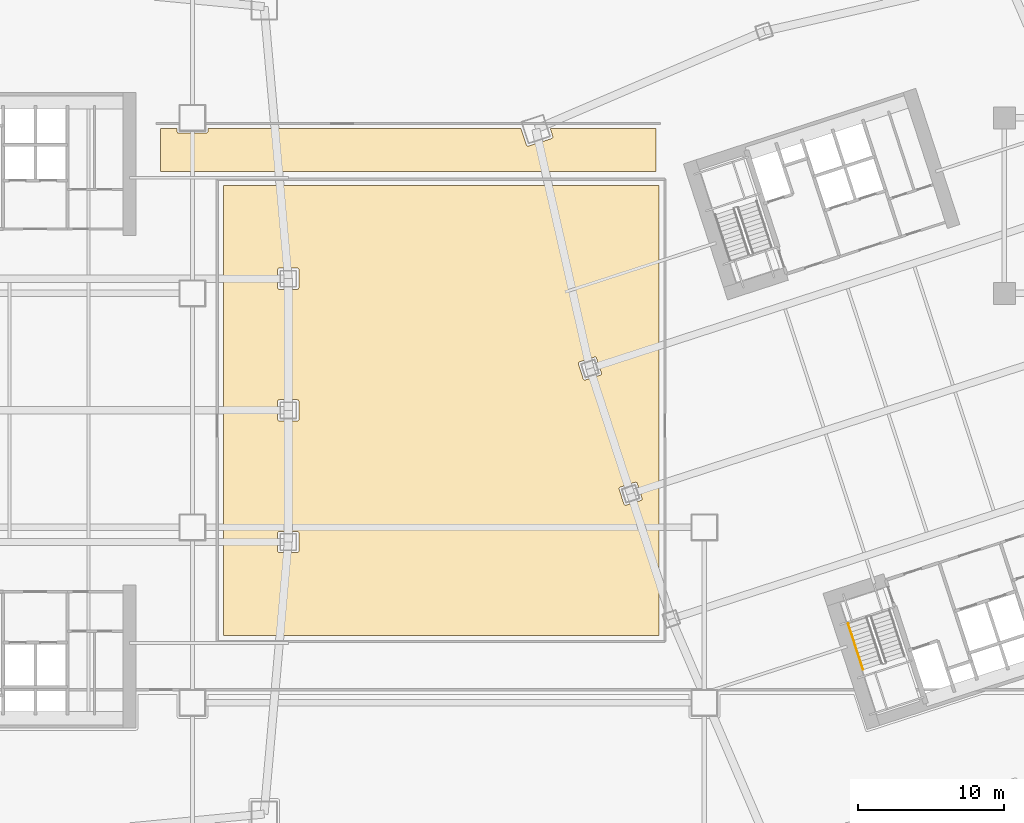
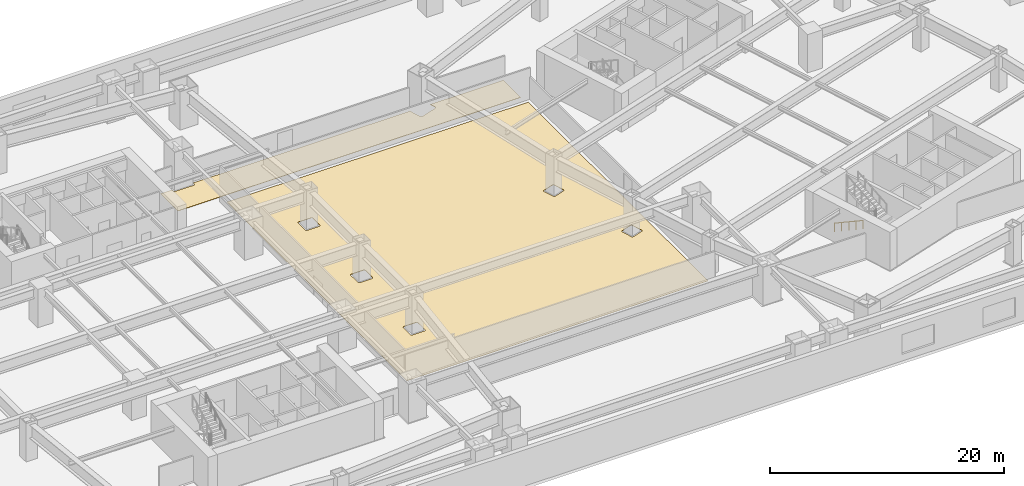
# One storey, part 23 of 25: 2 coverings, 1 railing.
"""IFC4 building model written with IfcOpenShell, lengths in metres."""

from ifc_helpers import new_model, si_unit, direction, frame, origin, origin_2d, place, context, subcontext, project, spatial, polyline, circle, outline, extrude, material, layer, layer_set, type_object, element, save


model = new_model("IFC4")

# Units and contexts
model_context = context("Model", 3, precision=1e-05, world=origin(), true_north=direction((0.0, 1.0)))
body_context = subcontext(model_context, "Body", "Model", "MODEL_VIEW")
ifc_project = project(units=[si_unit("LENGTHUNIT", "METRE"), si_unit("AREAUNIT", "SQUARE_METRE"), si_unit("VOLUMEUNIT", "CUBIC_METRE"), si_unit("PLANEANGLEUNIT", "RADIAN"), si_unit("MASSUNIT", "GRAM", prefix="KILO")], contexts=[model_context])

# Site, building, storey
site_placement = place(None, origin())
site = spatial("IfcSite", under=ifc_project, at=site_placement, CompositionType="ELEMENT")
building_placement = place(site_placement, origin())
building = spatial("IfcBuilding", under=site, at=building_placement, Name="Qiaolan Cultural Towers", CompositionType="ELEMENT")
storey_placement = place(building_placement, frame((0.0, 0.0, 22.0)))
storey = spatial("IfcBuildingStorey", under=building, at=storey_placement, Name="L04", CompositionType="ELEMENT", Elevation=22.0)

# Coverings
ifc_material_1 = material(Name="Honed Terrazzo & Raised Access Flooring", Category="concrete")
ifc_layer = layer(ifc_material_1, 0.0400390625)
ifc_layer_set = layer_set([ifc_layer], Name="Honed Terrazzo & Raised Access Flooring")
covering_type = type_object("IfcCoveringType", Name="COV-FLR-STONE", PredefinedType="FLOORING", material=ifc_layer_set)
covering_1_placement = place(storey_placement, origin())
element("IfcCovering", 1, at=covering_1_placement, inside=storey, type_object=covering_type, Name="L04 Central Digital Archive & Rare Books Hall Finish Flooring", PredefinedType="FLOORING", context=body_context, shape_type="SweptSolid", body=[
    extrude(outline(polyline([(44.6201171875, 18.6201171875), (74.3798828125, 18.6201171875), (74.3798828125, 49.3798828125), (44.6201171875, 49.3798828125), (44.6201171875, 18.6201171875)]), holes=[polyline([(72.767578125, 29.083740234375), (72.779296875, 29.085693359375), (72.791015625, 29.08642578125), (72.802734375, 29.086181640625), (72.814453125, 29.084716796875), (72.825927734375, 29.08203125), (72.8369140625, 29.078125), (72.84765625, 29.073486328125), (72.85791015625, 29.067626953125), (72.86767578125, 29.060791015625), (72.87646484375, 29.052978515625), (72.884521484375, 29.04443359375), (72.891845703125, 29.03515625), (72.89794921875, 29.025146484375), (72.9033203125, 29.0146484375), (72.907470703125, 29.003662109375), (73.23486328125, 27.995361328125), (73.238037109375, 27.984130859375), (73.239990234375, 27.972412109375), (73.24072265625, 27.960693359375), (73.240478515625, 27.948974609375), (73.239013671875, 27.937255859375), (73.236328125, 27.92578125), (73.232666015625, 27.91455078125), (73.227783203125, 27.90380859375), (73.221923828125, 27.8935546875), (73.215087890625, 27.884033203125), (73.207275390625, 27.875244140625), (73.19873046875, 27.8671875), (73.189453125, 27.85986328125), (73.179443359375, 27.853759765625), (73.1689453125, 27.848388671875), (73.157958984375, 27.84423828125), (72.14990234375, 27.5166015625), (72.138427734375, 27.513671875), (72.126708984375, 27.51171875), (72.114990234375, 27.5107421875), (72.103271484375, 27.51123046875), (72.091552734375, 27.5126953125), (72.080078125, 27.515380859375), (72.069091796875, 27.51904296875), (72.058349609375, 27.52392578125), (72.048095703125, 27.52978515625), (72.038330078125, 27.53662109375), (72.029541015625, 27.544189453125), (72.021484375, 27.552978515625), (72.01416015625, 27.562255859375), (72.008056640625, 27.572265625), (72.002685546875, 27.582763671875), (71.99853515625, 27.59375), (71.671142578125, 28.601806640625), (71.66796875, 28.61328125), (71.666015625, 28.624755859375), (71.665283203125, 28.636474609375), (71.66552734375, 28.6484375), (71.6669921875, 28.659912109375), (71.669677734375, 28.67138671875), (71.67333984375, 28.6826171875), (71.67822265625, 28.693359375), (71.68408203125, 28.70361328125), (71.69091796875, 28.713134765625), (71.69873046875, 28.72216796875), (71.707275390625, 28.730224609375), (71.716552734375, 28.7373046875), (71.7265625, 28.74365234375), (71.737060546875, 28.748779296875), (71.748046875, 28.7529296875), (72.756103515625, 29.08056640625), (72.767578125, 29.083740234375)]), polyline([(70.456787109375, 36.543701171875), (70.458740234375, 36.531982421875), (70.459716796875, 36.520263671875), (70.459228515625, 36.508544921875), (70.457763671875, 36.496826171875), (70.455078125, 36.4853515625), (70.451416015625, 36.47412109375), (70.446533203125, 36.46337890625), (70.440673828125, 36.453125), (70.433837890625, 36.443603515625), (70.42626953125, 36.434814453125), (70.417724609375, 36.426513671875), (70.408203125, 36.41943359375), (70.3984375, 36.4130859375), (70.3876953125, 36.407958984375), (70.376708984375, 36.40380859375), (69.36865234375, 36.076171875), (69.357177734375, 36.072998046875), (69.345703125, 36.071044921875), (69.333984375, 36.0703125), (69.322265625, 36.070556640625), (69.310546875, 36.072265625), (69.299072265625, 36.07470703125), (69.287841796875, 36.07861328125), (69.277099609375, 36.08349609375), (69.266845703125, 36.08935546875), (69.25732421875, 36.095947265625), (69.248291015625, 36.103759765625), (69.240234375, 36.1123046875), (69.233154296875, 36.12158203125), (69.226806640625, 36.131591796875), (69.2216796875, 36.142333984375), (69.217529296875, 36.1533203125), (68.889892578125, 37.161376953125), (68.88671875, 37.172607421875), (68.884765625, 37.184326171875), (68.884033203125, 37.196044921875), (68.88427734375, 37.207763671875), (68.885986328125, 37.219482421875), (68.888427734375, 37.23095703125), (68.892333984375, 37.2421875), (68.89697265625, 37.2529296875), (68.90283203125, 37.26318359375), (68.90966796875, 37.272705078125), (68.91748046875, 37.281494140625), (68.926025390625, 37.289794921875), (68.935302734375, 37.296875), (68.9453125, 37.30322265625), (68.955810546875, 37.308349609375), (68.967041015625, 37.3125), (69.97509765625, 37.64013671875), (69.986328125, 37.643310546875), (69.998046875, 37.645263671875), (70.009765625, 37.64599609375), (70.021484375, 37.6455078125), (70.033203125, 37.64404296875), (70.044677734375, 37.641357421875), (70.055908203125, 37.6376953125), (70.066650390625, 37.6328125), (70.076904296875, 37.626953125), (70.08642578125, 37.6201171875), (70.09521484375, 37.612548828125), (70.103271484375, 37.60400390625), (70.110595703125, 37.594482421875), (70.116943359375, 37.584716796875), (70.1220703125, 37.573974609375), (70.126220703125, 37.56298828125), (70.453857421875, 36.554931640625), (70.456787109375, 36.543701171875)]), polyline([(48.32568359375, 43.61669921875), (48.327392578125, 43.62841796875), (48.330078125, 43.639892578125), (48.334228515625, 43.65087890625), (48.339111328125, 43.66162109375), (48.34521484375, 43.671630859375), (48.352294921875, 43.68115234375), (48.360107421875, 43.68994140625), (48.368896484375, 43.69775390625), (48.37841796875, 43.704833984375), (48.388427734375, 43.7109375), (48.399169921875, 43.7158203125), (48.41015625, 43.7197265625), (48.421630859375, 43.72265625), (48.433349609375, 43.724365234375), (48.445068359375, 43.72509765625), (49.655029296875, 43.72509765625), (49.666748046875, 43.724365234375), (49.678466796875, 43.72265625), (49.68994140625, 43.7197265625), (49.700927734375, 43.7158203125), (49.711669921875, 43.7109375), (49.7216796875, 43.704833984375), (49.731201171875, 43.69775390625), (49.73974609375, 43.68994140625), (49.747802734375, 43.68115234375), (49.7548828125, 43.671630859375), (49.7607421875, 43.66162109375), (49.765869140625, 43.65087890625), (49.769775390625, 43.639892578125), (49.772705078125, 43.62841796875), (49.7744140625, 43.61669921875), (49.77490234375, 43.60498046875), (49.77490234375, 42.39501953125), (49.7744140625, 42.38330078125), (49.772705078125, 42.37158203125), (49.769775390625, 42.360107421875), (49.765869140625, 42.34912109375), (49.7607421875, 42.33837890625), (49.7548828125, 42.328369140625), (49.747802734375, 42.31884765625), (49.73974609375, 42.31005859375), (49.731201171875, 42.30224609375), (49.7216796875, 42.295166015625), (49.711669921875, 42.2890625), (49.700927734375, 42.2841796875), (49.68994140625, 42.2802734375), (49.678466796875, 42.27734375), (49.666748046875, 42.275634765625), (49.655029296875, 42.27490234375), (48.445068359375, 42.27490234375), (48.433349609375, 42.275634765625), (48.421630859375, 42.27734375), (48.41015625, 42.2802734375), (48.399169921875, 42.2841796875), (48.388427734375, 42.2890625), (48.37841796875, 42.295166015625), (48.368896484375, 42.30224609375), (48.360107421875, 42.31005859375), (48.352294921875, 42.31884765625), (48.34521484375, 42.328369140625), (48.339111328125, 42.33837890625), (48.334228515625, 42.34912109375), (48.330078125, 42.360107421875), (48.327392578125, 42.37158203125), (48.32568359375, 42.38330078125), (48.324951171875, 42.39501953125), (48.324951171875, 43.60498046875), (48.32568359375, 43.61669921875)]), polyline([(48.433349609375, 33.275634765625), (48.421630859375, 33.27734375), (48.41015625, 33.2802734375), (48.399169921875, 33.2841796875), (48.388427734375, 33.2890625), (48.37841796875, 33.295166015625), (48.368896484375, 33.30224609375), (48.360107421875, 33.31005859375), (48.352294921875, 33.31884765625), (48.34521484375, 33.328369140625), (48.339111328125, 33.33837890625), (48.334228515625, 33.34912109375), (48.330078125, 33.360107421875), (48.327392578125, 33.37158203125), (48.32568359375, 33.38330078125), (48.324951171875, 33.39501953125), (48.324951171875, 34.60498046875), (48.32568359375, 34.61669921875), (48.327392578125, 34.62841796875), (48.330078125, 34.639892578125), (48.334228515625, 34.65087890625), (48.339111328125, 34.66162109375), (48.34521484375, 34.671630859375), (48.352294921875, 34.68115234375), (48.360107421875, 34.68994140625), (48.368896484375, 34.69775390625), (48.37841796875, 34.704833984375), (48.388427734375, 34.7109375), (48.399169921875, 34.7158203125), (48.41015625, 34.7197265625), (48.421630859375, 34.72265625), (48.433349609375, 34.724365234375), (48.445068359375, 34.72509765625), (49.655029296875, 34.72509765625), (49.666748046875, 34.724365234375), (49.678466796875, 34.72265625), (49.68994140625, 34.7197265625), (49.700927734375, 34.7158203125), (49.711669921875, 34.7109375), (49.7216796875, 34.704833984375), (49.731201171875, 34.69775390625), (49.73974609375, 34.68994140625), (49.747802734375, 34.68115234375), (49.7548828125, 34.671630859375), (49.7607421875, 34.66162109375), (49.765869140625, 34.65087890625), (49.769775390625, 34.639892578125), (49.772705078125, 34.62841796875), (49.7744140625, 34.61669921875), (49.77490234375, 34.60498046875), (49.77490234375, 33.39501953125), (49.7744140625, 33.38330078125), (49.772705078125, 33.37158203125), (49.769775390625, 33.360107421875), (49.765869140625, 33.34912109375), (49.7607421875, 33.33837890625), (49.7548828125, 33.328369140625), (49.747802734375, 33.31884765625), (49.73974609375, 33.31005859375), (49.731201171875, 33.30224609375), (49.7216796875, 33.295166015625), (49.711669921875, 33.2890625), (49.700927734375, 33.2841796875), (49.68994140625, 33.2802734375), (49.678466796875, 33.27734375), (49.666748046875, 33.275634765625), (49.655029296875, 33.27490234375), (48.445068359375, 33.27490234375), (48.433349609375, 33.275634765625)]), polyline([(49.7744140625, 24.38330078125), (49.772705078125, 24.37158203125), (49.769775390625, 24.360107421875), (49.765869140625, 24.34912109375), (49.7607421875, 24.33837890625), (49.7548828125, 24.328369140625), (49.747802734375, 24.31884765625), (49.73974609375, 24.31005859375), (49.731201171875, 24.30224609375), (49.7216796875, 24.295166015625), (49.711669921875, 24.2890625), (49.700927734375, 24.2841796875), (49.68994140625, 24.2802734375), (49.678466796875, 24.27734375), (49.666748046875, 24.275634765625), (49.655029296875, 24.27490234375), (48.445068359375, 24.27490234375), (48.433349609375, 24.275634765625), (48.421630859375, 24.27734375), (48.41015625, 24.2802734375), (48.399169921875, 24.2841796875), (48.388427734375, 24.2890625), (48.37841796875, 24.295166015625), (48.368896484375, 24.30224609375), (48.360107421875, 24.31005859375), (48.352294921875, 24.31884765625), (48.34521484375, 24.328369140625), (48.339111328125, 24.33837890625), (48.334228515625, 24.34912109375), (48.330078125, 24.360107421875), (48.327392578125, 24.37158203125), (48.32568359375, 24.38330078125), (48.324951171875, 24.39501953125), (48.324951171875, 25.60498046875), (48.32568359375, 25.61669921875), (48.327392578125, 25.62841796875), (48.330078125, 25.639892578125), (48.334228515625, 25.65087890625), (48.339111328125, 25.66162109375), (48.34521484375, 25.671630859375), (48.352294921875, 25.68115234375), (48.360107421875, 25.68994140625), (48.368896484375, 25.69775390625), (48.37841796875, 25.704833984375), (48.388427734375, 25.7109375), (48.399169921875, 25.7158203125), (48.41015625, 25.7197265625), (48.421630859375, 25.72265625), (48.433349609375, 25.724365234375), (48.445068359375, 25.72509765625), (49.655029296875, 25.72509765625), (49.666748046875, 25.724365234375), (49.678466796875, 25.72265625), (49.68994140625, 25.7197265625), (49.700927734375, 25.7158203125), (49.711669921875, 25.7109375), (49.7216796875, 25.704833984375), (49.731201171875, 25.69775390625), (49.73974609375, 25.68994140625), (49.747802734375, 25.68115234375), (49.7548828125, 25.671630859375), (49.7607421875, 25.66162109375), (49.765869140625, 25.65087890625), (49.769775390625, 25.639892578125), (49.772705078125, 25.62841796875), (49.7744140625, 25.61669921875), (49.77490234375, 25.60498046875), (49.77490234375, 24.39501953125), (49.7744140625, 24.38330078125)])]), origin(), (0.0, 0.0, 1.0), 0.0400390625),
])
covering_2_placement = place(storey_placement, origin())
element("IfcCovering", 2, at=covering_2_placement, inside=storey, type_object=covering_type, Name="L04 L04 North Reference Reading Stack Finish Flooring", PredefinedType="FLOORING", context=body_context, shape_type="SweptSolid", body=[
    extrude(outline(polyline([(74.179931640625, 53.280029296875), (66.9541015625, 53.280029296875), (67.1328125, 52.73046875), (67.135986328125, 52.718994140625), (67.137939453125, 52.707275390625), (67.138671875, 52.695556640625), (67.13818359375, 52.683837890625), (67.13671875, 52.672119140625), (67.13427734375, 52.66064453125), (67.13037109375, 52.649658203125), (67.12548828125, 52.638916015625), (67.11962890625, 52.628662109375), (67.11279296875, 52.618896484375), (67.105224609375, 52.610107421875), (67.0966796875, 52.60205078125), (67.08740234375, 52.5947265625), (67.077392578125, 52.588623046875), (67.066650390625, 52.583251953125), (67.0556640625, 52.5791015625), (65.47705078125, 52.066162109375), (65.465576171875, 52.063232421875), (65.4541015625, 52.06103515625), (65.4423828125, 52.060302734375), (65.430419921875, 52.060791015625), (65.418701171875, 52.062255859375), (65.4072265625, 52.06494140625), (65.396240234375, 52.068603515625), (65.385498046875, 52.073486328125), (65.375244140625, 52.079345703125), (65.36572265625, 52.086181640625), (65.356689453125, 52.09375), (65.3486328125, 52.102294921875), (65.341552734375, 52.11181640625), (65.335205078125, 52.12158203125), (65.330078125, 52.13232421875), (65.32568359375, 52.143310546875), (64.95654296875, 53.280029296875), (43.550048828125, 53.280029296875), (43.550048828125, 53.070068359375), (43.54931640625, 53.058349609375), (43.547607421875, 53.046630859375), (43.544921875, 53.03515625), (43.540771484375, 53.024169921875), (43.535888671875, 53.013427734375), (43.52978515625, 53.00341796875), (43.522705078125, 52.993896484375), (43.514892578125, 52.985107421875), (43.506103515625, 52.977294921875), (43.49658203125, 52.97021484375), (43.486572265625, 52.964111328125), (43.475830078125, 52.959228515625), (43.46484375, 52.955078125), (43.453369140625, 52.952392578125), (43.441650390625, 52.95068359375), (43.429931640625, 52.949951171875), (41.570068359375, 52.949951171875), (41.558349609375, 52.95068359375), (41.546630859375, 52.952392578125), (41.53515625, 52.955078125), (41.524169921875, 52.959228515625), (41.513427734375, 52.964111328125), (41.50341796875, 52.97021484375), (41.493896484375, 52.977294921875), (41.485107421875, 52.985107421875), (41.477294921875, 52.993896484375), (41.47021484375, 53.00341796875), (41.464111328125, 53.013427734375), (41.459228515625, 53.024169921875), (41.455078125, 53.03515625), (41.452392578125, 53.046630859375), (41.45068359375, 53.058349609375), (41.449951171875, 53.070068359375), (41.449951171875, 53.280029296875), (40.320068359375, 53.280029296875), (40.320068359375, 50.320068359375), (74.179931640625, 50.320068359375), (74.179931640625, 53.280029296875)])), origin(), (0.0, 0.0, 1.0), 0.0400390625),
])

# Railing
ifc_material_2 = material(Name="Stainless Steel S30408 Tubular Handrail", Category="steel")
railing_type = type_object("IfcRailingType", Name="RL-STAIR-HR", PredefinedType="HANDRAIL", material=ifc_material_2)
railing_placement = place(storey_placement, frame((87.32763671875, 19.41015625, 0.166748046875)))
element("IfcRailing", 3, at=railing_placement, inside=storey, type_object=railing_type, Name="L04 ST-E1 stair handrail 1", PredefinedType="HANDRAIL", context=body_context, shape_type="SweptSolid", body=[
    extrude(circle(Radius=0.02392578125, at=origin_2d()), frame((0.0, 0.0, 0.8759765625), z_axis=(0.270140520196, -0.831375721119, 0.485632072336), x_axis=(0.951053095941, 0.309027520945, 0.0)), (0.0, 0.0, 1.0), 3.77490234375),
    extrude(circle(Radius=0.02099609375, at=origin_2d()), origin(), (0.0, 0.0, 1.0), 0.851806640625),
    extrude(circle(Radius=0.02099609375, at=origin_2d()), frame((0.2548828125, -0.78466796875, 0.458251953125)), (0.0, 0.0, 1.0), 0.851806640625),
    extrude(circle(Radius=0.02099609375, at=origin_2d()), frame((0.509765625, -1.5693359375, 0.91650390625)), (0.0, 0.0, 1.0), 0.851806640625),
    extrude(circle(Radius=0.02099609375, at=origin_2d()), frame((0.764892578125, -2.353759765625, 1.375)), (0.0, 0.0, 1.0), 0.851806640625),
    extrude(circle(Radius=0.02099609375, at=origin_2d()), frame((1.019775390625, -3.138427734375, 1.833251953125)), (0.0, 0.0, 1.0), 0.851806640625),
])

save(model, "model.ifc")
